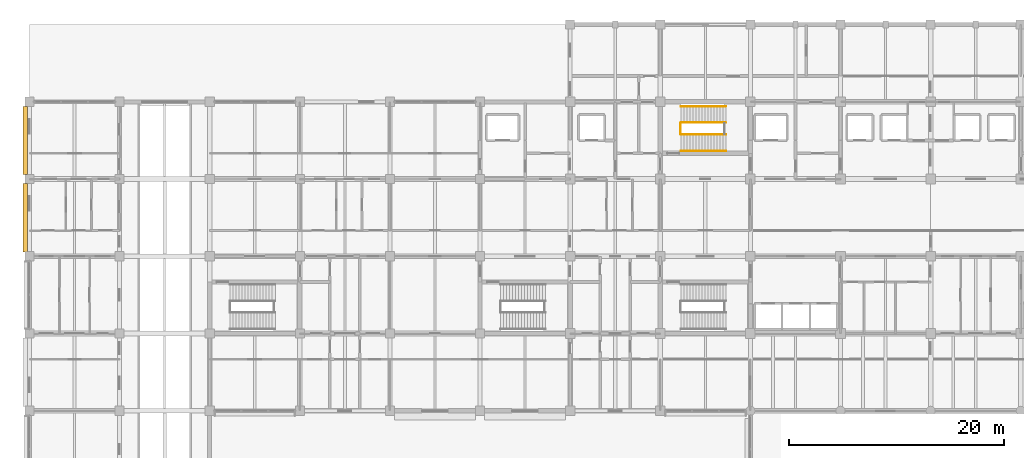
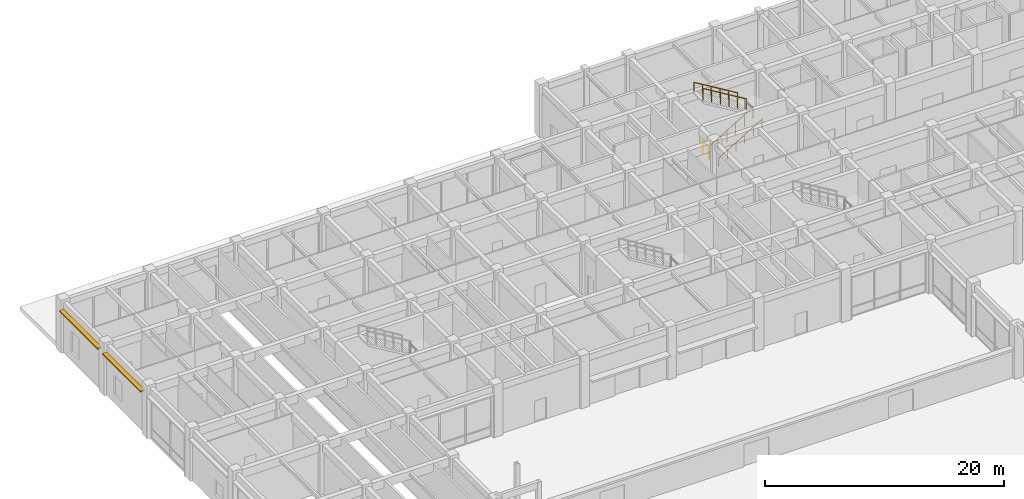
# One storey, part 68 of 73: 5 railings, 2 shading devices.
"""IFC4 building model written with IfcOpenShell, lengths in metres."""

from ifc_helpers import new_model, si_unit, direction, frame, origin, origin_2d, place, context, subcontext, project, spatial, rectangle, circle, extrude, material, type_object, element, save


model = new_model("IFC4")

# Units and contexts
model_context = context("Model", 3, precision=1e-05, world=origin(), true_north=direction((0.0, 1.0)))
body_context = subcontext(model_context, "Body", "Model", "MODEL_VIEW")
ifc_project = project(units=[si_unit("LENGTHUNIT", "METRE"), si_unit("AREAUNIT", "SQUARE_METRE"), si_unit("VOLUMEUNIT", "CUBIC_METRE"), si_unit("PLANEANGLEUNIT", "RADIAN"), si_unit("MASSUNIT", "GRAM", prefix="KILO")], contexts=[model_context])

# Site, building, storey
site_placement = place(None, origin())
site = spatial("IfcSite", under=ifc_project, at=site_placement, CompositionType="ELEMENT")
building_placement = place(site_placement, origin())
building = spatial("IfcBuilding", under=site, at=building_placement, Name="Chengyuan Square Courthouse", CompositionType="ELEMENT")
storey_placement = place(building_placement, origin())
storey = spatial("IfcBuildingStorey", under=building, at=storey_placement, Name="L01", CompositionType="ELEMENT", Elevation=0.0)

# Railings
ifc_material_1 = material(Name="Tempered Glass and Timber Top-Rail Balustrade", Category="wood")
railing_type_1 = type_object("IfcRailingType", Name="RL-02", PredefinedType="BALUSTRADE", material=ifc_material_1)
railing_1_placement = place(storey_placement, frame((60.68994140625, 105.0, 0.0)))
element("IfcRailing", 1, at=railing_1_placement, inside=storey, type_object=railing_type_1, Name="Stair Floor Slot Guard ST-1 L01", PredefinedType="BALUSTRADE", context=body_context, shape_type="SweptSolid", body=[
    extrude(circle(Radius=0.02392578125, at=origin_2d()), frame((0.0, 0.0, 1.17578125), z_axis=(0.0, 1.0, 0.0), x_axis=(-1.0, 0.0, 0.0)), (0.0, 0.0, 1.0), 1.0),
    extrude(circle(Radius=0.02099609375, at=origin_2d()), origin(), (0.0, 0.0, 1.0), 1.15185546875),
    extrude(circle(Radius=0.02099609375, at=origin_2d()), frame((0.0, 1.0, 0.0)), (0.0, 0.0, 1.0), 1.15185546875),
])
railing_2_placement = place(storey_placement, frame((60.7099609375, 104.949951171875, 0.168701171875)))
element("IfcRailing", 2, at=railing_2_placement, inside=storey, type_object=railing_type_1, Name="Stair Flight 1 Guard ST-1-L01", PredefinedType="BALUSTRADE", context=body_context, shape_type="SweptSolid", body=[
    extrude(circle(Radius=0.02392578125, at=origin_2d()), frame((0.0, 0.0, 1.17578125), z_axis=(0.856476492594, 0.0, 0.516186030065), x_axis=(0.0, 1.0, 0.0)), (0.0, 0.0, 1.0), 4.90380859375),
    extrude(circle(Radius=0.02099609375, at=origin_2d()), origin(), (0.0, 0.0, 1.0), 1.15185546875),
    extrude(circle(Radius=0.02099609375, at=origin_2d()), frame((0.840087890625, 0.0, 0.50634765625)), (0.0, 0.0, 1.0), 1.15185546875),
    extrude(circle(Radius=0.02099609375, at=origin_2d()), frame((1.679931640625, 0.0, 1.012451171875)), (0.0, 0.0, 1.0), 1.15185546875),
    extrude(circle(Radius=0.02099609375, at=origin_2d()), frame((2.52001953125, 0.0, 1.518798828125)), (0.0, 0.0, 1.0), 1.15185546875),
    extrude(circle(Radius=0.02099609375, at=origin_2d()), frame((3.35986328125, 0.0, 2.02490234375)), (0.0, 0.0, 1.0), 1.15185546875),
    extrude(circle(Radius=0.02099609375, at=origin_2d()), frame((4.199951171875, 0.0, 2.53125)), (0.0, 0.0, 1.0), 1.15185546875),
])
railing_3_placement = place(storey_placement, frame((64.909912109375, 106.050048828125, 2.868896484375)))
element("IfcRailing", 3, at=railing_3_placement, inside=storey, type_object=railing_type_1, Name="Stair Flight 2 Guard ST-1-L01", PredefinedType="BALUSTRADE", context=body_context, shape_type="SweptSolid", body=[
    extrude(circle(Radius=0.02392578125, at=origin_2d()), frame((0.0, 0.0, 1.17578125), z_axis=(-0.856498503035, 0.0, 0.5161495077), x_axis=(0.0, -1.0, 0.0)), (0.0, 0.0, 1.0), 4.903564453125),
    extrude(circle(Radius=0.02099609375, at=origin_2d()), origin(), (0.0, 0.0, 1.0), 1.15185546875),
    extrude(circle(Radius=0.02099609375, at=origin_2d()), frame((-0.840087890625, 0.0, 0.506103515625)), (0.0, 0.0, 1.0), 1.15185546875),
    extrude(circle(Radius=0.02099609375, at=origin_2d()), frame((-1.679931640625, 0.0, 1.012451171875)), (0.0, 0.0, 1.0), 1.15185546875),
    extrude(circle(Radius=0.02099609375, at=origin_2d()), frame((-2.52001953125, 0.0, 1.5185546875)), (0.0, 0.0, 1.0), 1.15185546875),
    extrude(circle(Radius=0.02099609375, at=origin_2d()), frame((-3.35986328125, 0.0, 2.02490234375)), (0.0, 0.0, 1.0), 1.15185546875),
    extrude(circle(Radius=0.02099609375, at=origin_2d()), frame((-4.199951171875, 0.0, 2.531005859375)), (0.0, 0.0, 1.0), 1.15185546875),
])
ifc_material_2 = material(Name="Stainless Steel S30408 Stair Handrail", Category="steel")
railing_type_2 = type_object("IfcRailingType", Name="RL-04", PredefinedType="HANDRAIL", material=ifc_material_2)
railing_4_placement = place(storey_placement, frame((60.7099609375, 103.419921875, 0.168701171875)))
element("IfcRailing", 4, at=railing_4_placement, inside=storey, type_object=railing_type_2, Name="Stair Flight 1 Handrail ST-1-L01", PredefinedType="HANDRAIL", context=body_context, shape_type="SweptSolid", body=[
    extrude(circle(Radius=0.02392578125, at=origin_2d()), frame((0.0, 0.0, 0.8759765625), z_axis=(0.856476492594, 0.0, 0.516186030065), x_axis=(0.0, 1.0, 0.0)), (0.0, 0.0, 1.0), 4.90380859375),
    extrude(circle(Radius=0.02099609375, at=origin_2d()), origin(), (0.0, 0.0, 1.0), 0.851806640625),
    extrude(circle(Radius=0.02099609375, at=origin_2d()), frame((0.840087890625, 0.0, 0.50634765625)), (0.0, 0.0, 1.0), 0.851806640625),
    extrude(circle(Radius=0.02099609375, at=origin_2d()), frame((1.679931640625, 0.0, 1.012451171875)), (0.0, 0.0, 1.0), 0.851806640625),
    extrude(circle(Radius=0.02099609375, at=origin_2d()), frame((2.52001953125, 0.0, 1.518798828125)), (0.0, 0.0, 1.0), 0.851806640625),
    extrude(circle(Radius=0.02099609375, at=origin_2d()), frame((3.35986328125, 0.0, 2.02490234375)), (0.0, 0.0, 1.0), 0.851806640625),
    extrude(circle(Radius=0.02099609375, at=origin_2d()), frame((4.199951171875, 0.0, 2.53125)), (0.0, 0.0, 1.0), 0.851806640625),
])
railing_5_placement = place(storey_placement, frame((64.909912109375, 107.580078125, 2.868896484375)))
element("IfcRailing", 5, at=railing_5_placement, inside=storey, type_object=railing_type_2, Name="Stair Flight 2 Handrail ST-1-L01", PredefinedType="HANDRAIL", context=body_context, shape_type="SweptSolid", body=[
    extrude(circle(Radius=0.02392578125, at=origin_2d()), frame((0.0, 0.0, 0.8759765625), z_axis=(-0.856498503035, 0.0, 0.5161495077), x_axis=(0.0, -1.0, 0.0)), (0.0, 0.0, 1.0), 4.903564453125),
    extrude(circle(Radius=0.02099609375, at=origin_2d()), origin(), (0.0, 0.0, 1.0), 0.851806640625),
    extrude(circle(Radius=0.02099609375, at=origin_2d()), frame((-0.840087890625, 0.0, 0.506103515625)), (0.0, 0.0, 1.0), 0.851806640625),
    extrude(circle(Radius=0.02099609375, at=origin_2d()), frame((-1.679931640625, 0.0, 1.012451171875)), (0.0, 0.0, 1.0), 0.851806640625),
    extrude(circle(Radius=0.02099609375, at=origin_2d()), frame((-2.52001953125, 0.0, 1.5185546875)), (0.0, 0.0, 1.0), 0.851806640625),
    extrude(circle(Radius=0.02099609375, at=origin_2d()), frame((-3.35986328125, 0.0, 2.02490234375)), (0.0, 0.0, 1.0), 0.851806640625),
    extrude(circle(Radius=0.02099609375, at=origin_2d()), frame((-4.199951171875, 0.0, 2.531005859375)), (0.0, 0.0, 1.0), 0.851806640625),
])

# Shading devices
ifc_material_3 = material(Name="Glulam TCt28 Facade Sunshade", Category="wood")
shading_device_type = type_object("IfcShadingDeviceType", Name="SHD-03", PredefinedType="AWNING", material=ifc_material_3)
for number, where, z_axis, x_axis, name in (
    (6, (-0.382080078125, 97.199951171875, 4.2802734375), (0.0, 0.0, 1.0), (0.0, 1.0, 0.0), "Glulam Facade Sunshade SHD-L01-0031"),
    (7, (-0.382080078125, 104.39990234375, 4.2802734375), (0.0, 0.0, 1.0), (0.0, 1.0, 0.0), "Glulam Facade Sunshade SHD-L01-0032"),
):
    element("IfcShadingDevice", number, at=place(storey_placement, frame(where, z_axis=z_axis, x_axis=x_axis)), inside=storey, type_object=shading_device_type, Name=name, PredefinedType="AWNING", context=body_context, shape_type="SweptSolid", body=[
        extrude(rectangle(XDim=6.360107421875, YDim=0.39990234375, at=origin_2d()), origin(), (0.0, 0.0, 1.0), 0.139892578125),
    ])

save(model, "model.ifc")
